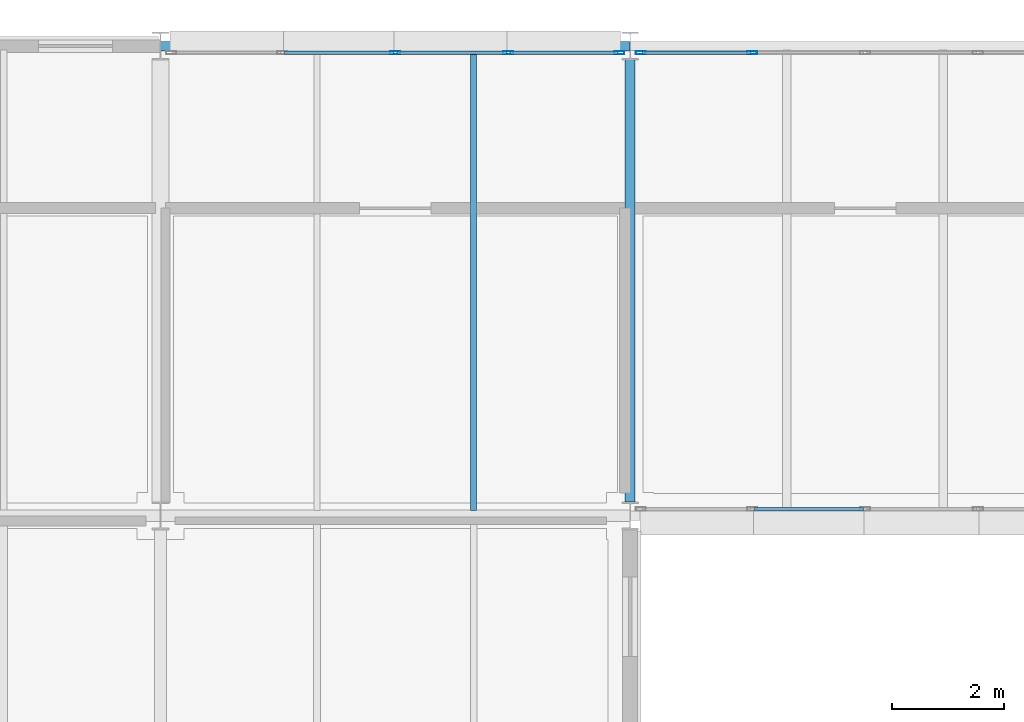
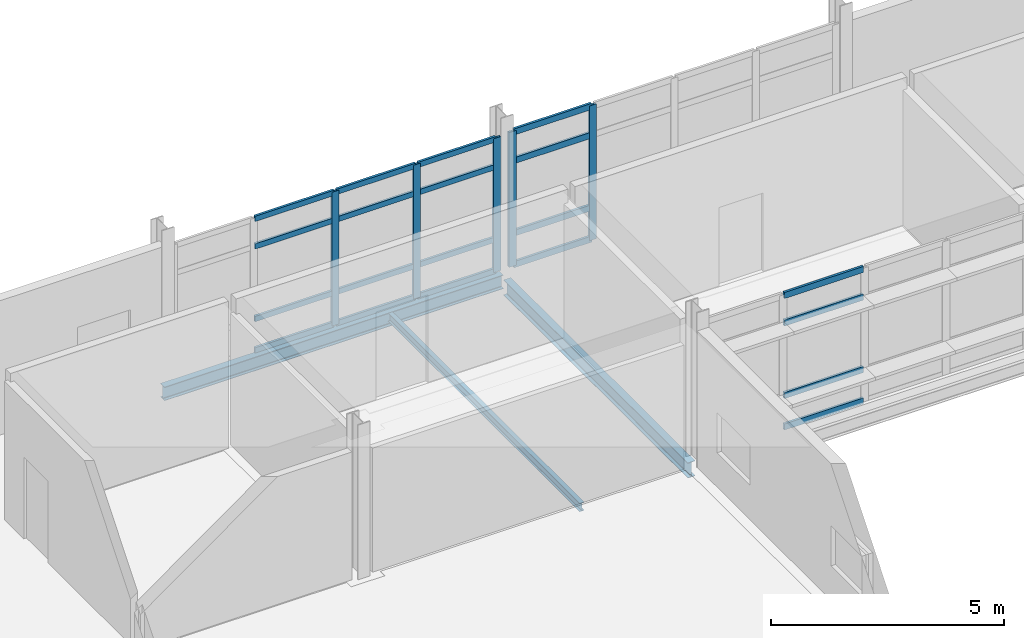
# One storey, part 78 of 131: 25 members, 3 beams, 3 elements without a shape of their own.
"""IFC4 building model written with IfcOpenShell, lengths in metres."""

from ifc_helpers import new_model, si_unit, direction, frame, origin, origin_2d, place, context, subcontext, project, spatial, hollow_rectangle, i_section, extrude, material, material_profile, profile_set, type_object, element, aggregate, save


model = new_model("IFC4")

# Units and contexts
model_context = context("Model", 3, precision=1e-05, world=origin(), true_north=direction((0.0, 1.0)))
body_context = subcontext(model_context, "Body", "Model", "MODEL_VIEW")
ifc_project = project(units=[si_unit("LENGTHUNIT", "METRE"), si_unit("AREAUNIT", "SQUARE_METRE"), si_unit("VOLUMEUNIT", "CUBIC_METRE"), si_unit("PLANEANGLEUNIT", "RADIAN"), si_unit("MASSUNIT", "GRAM", prefix="KILO")], contexts=[model_context])

# Site, building, storey
site_placement = place(None, origin())
site = spatial("IfcSite", under=ifc_project, at=site_placement, CompositionType="ELEMENT")
building_placement = place(site_placement, origin())
building = spatial("IfcBuilding", under=site, at=building_placement, Name="Mersafa Astral City Hall", CompositionType="ELEMENT")
storey_placement = place(building_placement, frame((0.0, 0.0, 13.949951171875)))
storey = spatial("IfcBuildingStorey", under=building, at=storey_placement, Name="L03", CompositionType="ELEMENT", Elevation=13.949951171875)

# Curtain wall, members
ifc_material_1 = material(Name="Anodised bronze aluminium framing", Category="aluminium")
curtain_wall_type_1 = type_object("IfcCurtainWallType", Name="ENV-CW-1", PredefinedType="USERDEFINED", material=ifc_material_1)
curtain_wall_1_placement = place(storey_placement, origin())
curtain_wall_1 = element("IfcCurtainWall", 1, at=curtain_wall_1_placement, inside=storey, type_object=curtain_wall_type_1, Name="L03 Unitised solar curtain wall 168", ObjectType="UNITISED CURTAIN WALL", PredefinedType="USERDEFINED")
ifc_material_profile_1 = material_profile(ifc_material_1, hollow_rectangle(XDim=0.06005859375, YDim=0.179931640625, WallThickness=0.00390625, at=origin_2d()), Name="RHS 60x180x4")
ifc_profile_set_1 = profile_set([ifc_material_profile_1], Name="Anodised bronze aluminium framing")
member_type_1 = type_object("IfcMemberType", Name="ENV-CW-MUL-1", PredefinedType="MULLION", material=ifc_profile_set_1)
member_1_placement = place(storey_placement, frame((119.781005859375, 125.8798828125, -0.001953125), z_axis=(0.0, 0.0, 1.0), x_axis=(0.0, -1.0, 0.0)))
member_1 = element("IfcMember", 2, at=member_1_placement, type_object=member_type_1, Name="CW-1 mullion 4", PredefinedType="MULLION", context=body_context, shape_type="SweptSolid", body=[
    extrude(hollow_rectangle(XDim=0.06005859375, YDim=0.179931640625, WallThickness=0.00390625, at=origin_2d()), origin(), (0.0, 0.0, 1.0), 3.533935546875),
])
member_2_placement = place(storey_placement, frame((117.7919921875, 125.8798828125, -0.001953125), z_axis=(0.0, 0.0, 1.0), x_axis=(0.0, -1.0, 0.0)))
member_2 = element("IfcMember", 3, at=member_2_placement, type_object=member_type_1, Name="CW-1 mullion 5", PredefinedType="MULLION", context=body_context, shape_type="SweptSolid", body=[
    extrude(hollow_rectangle(XDim=0.06005859375, YDim=0.179931640625, WallThickness=0.00390625, at=origin_2d()), origin(), (0.0, 0.0, 1.0), 3.533935546875),
])

curtain_wall_type_2 = type_object("IfcCurtainWallType", Name="ENV-CW-2", PredefinedType="USERDEFINED", material=ifc_material_1)
curtain_wall_2_placement = place(storey_placement, origin())
curtain_wall_2 = element("IfcCurtainWall", 4, at=curtain_wall_2_placement, inside=storey, type_object=curtain_wall_type_2, Name="L03 Unitised solar curtain wall 169", ObjectType="UNITISED CURTAIN WALL", PredefinedType="USERDEFINED")
member_3_placement = place(storey_placement, frame((117.407958984375, 125.8798828125, -0.001953125), z_axis=(0.0, 0.0, 1.0), x_axis=(0.0, -1.0, 0.0)))
member_3 = element("IfcMember", 5, at=member_3_placement, type_object=member_type_1, Name="CW-2 mullion 1", PredefinedType="MULLION", context=body_context, shape_type="SweptSolid", body=[
    extrude(hollow_rectangle(XDim=0.06005859375, YDim=0.179931640625, WallThickness=0.00390625, at=origin_2d()), origin(), (0.0, 0.0, 1.0), 3.50390625),
])
member_4_placement = place(storey_placement, frame((115.4189453125, 125.8798828125, -0.001953125), z_axis=(0.0, 0.0, 1.0), x_axis=(0.0, -1.0, 0.0)))
member_4 = element("IfcMember", 6, at=member_4_placement, type_object=member_type_1, Name="CW-2 mullion 2", PredefinedType="MULLION", context=body_context, shape_type="SweptSolid", body=[
    extrude(hollow_rectangle(XDim=0.06005859375, YDim=0.179931640625, WallThickness=0.00390625, at=origin_2d()), origin(), (0.0, 0.0, 1.0), 3.50390625),
])
member_5_placement = place(storey_placement, frame((113.39990234375, 125.8798828125, -0.001953125), z_axis=(0.0, 0.0, 1.0), x_axis=(0.0, -1.0, 0.0)))
member_5 = element("IfcMember", 7, at=member_5_placement, type_object=member_type_1, Name="CW-2 mullion 3", PredefinedType="MULLION", context=body_context, shape_type="SweptSolid", body=[
    extrude(hollow_rectangle(XDim=0.06005859375, YDim=0.179931640625, WallThickness=0.00390625, at=origin_2d()), origin(), (0.0, 0.0, 1.0), 3.50390625),
])
ifc_material_profile_2 = material_profile(ifc_material_1, hollow_rectangle(XDim=0.06005859375, YDim=0.139892578125, WallThickness=0.00390625, at=origin_2d()), Name="RHS 60x140x4")
ifc_profile_set_2 = profile_set([ifc_material_profile_2], Name="Anodised bronze aluminium framing")
member_type_2 = type_object("IfcMemberType", Name="ENV-CW-TRN-1", PredefinedType="USERDEFINED", material=ifc_profile_set_2)
member_6_placement = place(storey_placement, frame((117.3779296875, 125.8798828125, 0.028076171875), z_axis=(-1.0, 0.0, 0.0), x_axis=(0.0, -1.0, 0.0)))
member_6 = element("IfcMember", 8, at=member_6_placement, type_object=member_type_2, Name="CW-2 transom 1.1", ObjectType="TRANSOM", PredefinedType="USERDEFINED", context=body_context, shape_type="SweptSolid", body=[
    extrude(hollow_rectangle(XDim=0.06005859375, YDim=0.139892578125, WallThickness=0.00390625, at=origin_2d()), origin(), (0.0, 0.0, 1.0), 1.928955078125),
])
member_7_placement = place(storey_placement, frame((117.3779296875, 125.8798828125, 0.85009765625), z_axis=(-1.0, 0.0, 0.0), x_axis=(0.0, -1.0, 0.0)))
member_7 = element("IfcMember", 9, at=member_7_placement, type_object=member_type_2, Name="CW-2 transom 1.2", ObjectType="TRANSOM", PredefinedType="USERDEFINED", context=body_context, shape_type="SweptSolid", body=[
    extrude(hollow_rectangle(XDim=0.06005859375, YDim=0.139892578125, WallThickness=0.00390625, at=origin_2d()), origin(), (0.0, 0.0, 1.0), 1.928955078125),
])
member_8_placement = place(storey_placement, frame((117.3779296875, 125.8798828125, 2.75), z_axis=(-1.0, 0.0, 0.0), x_axis=(0.0, -1.0, 0.0)))
member_8 = element("IfcMember", 10, at=member_8_placement, type_object=member_type_2, Name="CW-2 transom 1.3", ObjectType="TRANSOM", PredefinedType="USERDEFINED", context=body_context, shape_type="SweptSolid", body=[
    extrude(hollow_rectangle(XDim=0.06005859375, YDim=0.139892578125, WallThickness=0.00390625, at=origin_2d()), origin(), (0.0, 0.0, 1.0), 1.928955078125),
])
member_9_placement = place(storey_placement, frame((117.3779296875, 125.8798828125, 3.47216796875), z_axis=(-1.0, 0.0, 0.0), x_axis=(0.0, -1.0, 0.0)))
member_9 = element("IfcMember", 11, at=member_9_placement, type_object=member_type_2, Name="CW-2 transom 1.4", ObjectType="TRANSOM", PredefinedType="USERDEFINED", context=body_context, shape_type="SweptSolid", body=[
    extrude(hollow_rectangle(XDim=0.06005859375, YDim=0.139892578125, WallThickness=0.00390625, at=origin_2d()), origin(), (0.0, 0.0, 1.0), 1.928955078125),
])
member_10_placement = place(storey_placement, frame((115.388916015625, 125.8798828125, 0.028076171875), z_axis=(-1.0, 0.0, 0.0), x_axis=(0.0, -1.0, 0.0)))
member_10 = element("IfcMember", 12, at=member_10_placement, type_object=member_type_2, Name="CW-2 transom 2.1", ObjectType="TRANSOM", PredefinedType="USERDEFINED", context=body_context, shape_type="SweptSolid", body=[
    extrude(hollow_rectangle(XDim=0.06005859375, YDim=0.139892578125, WallThickness=0.00390625, at=origin_2d()), origin(), (0.0, 0.0, 1.0), 1.958984375),
])
member_11_placement = place(storey_placement, frame((115.388916015625, 125.8798828125, 0.85009765625), z_axis=(-1.0, 0.0, 0.0), x_axis=(0.0, -1.0, 0.0)))
member_11 = element("IfcMember", 13, at=member_11_placement, type_object=member_type_2, Name="CW-2 transom 2.2", ObjectType="TRANSOM", PredefinedType="USERDEFINED", context=body_context, shape_type="SweptSolid", body=[
    extrude(hollow_rectangle(XDim=0.06005859375, YDim=0.139892578125, WallThickness=0.00390625, at=origin_2d()), origin(), (0.0, 0.0, 1.0), 1.958984375),
])
member_12_placement = place(storey_placement, frame((115.388916015625, 125.8798828125, 2.75), z_axis=(-1.0, 0.0, 0.0), x_axis=(0.0, -1.0, 0.0)))
member_12 = element("IfcMember", 14, at=member_12_placement, type_object=member_type_2, Name="CW-2 transom 2.3", ObjectType="TRANSOM", PredefinedType="USERDEFINED", context=body_context, shape_type="SweptSolid", body=[
    extrude(hollow_rectangle(XDim=0.06005859375, YDim=0.139892578125, WallThickness=0.00390625, at=origin_2d()), origin(), (0.0, 0.0, 1.0), 1.958984375),
])
member_13_placement = place(storey_placement, frame((115.388916015625, 125.8798828125, 3.47216796875), z_axis=(-1.0, 0.0, 0.0), x_axis=(0.0, -1.0, 0.0)))
member_13 = element("IfcMember", 15, at=member_13_placement, type_object=member_type_2, Name="CW-2 transom 2.4", ObjectType="TRANSOM", PredefinedType="USERDEFINED", context=body_context, shape_type="SweptSolid", body=[
    extrude(hollow_rectangle(XDim=0.06005859375, YDim=0.139892578125, WallThickness=0.00390625, at=origin_2d()), origin(), (0.0, 0.0, 1.0), 1.958984375),
])
member_14_placement = place(storey_placement, frame((113.3701171875, 125.8798828125, 0.028076171875), z_axis=(-1.0, 0.0, 0.0), x_axis=(0.0, -1.0, 0.0)))
member_14 = element("IfcMember", 16, at=member_14_placement, type_object=member_type_2, Name="CW-2 transom 3.1", ObjectType="TRANSOM", PredefinedType="USERDEFINED", context=body_context, shape_type="SweptSolid", body=[
    extrude(hollow_rectangle(XDim=0.06005859375, YDim=0.139892578125, WallThickness=0.00390625, at=origin_2d()), origin(), (0.0, 0.0, 1.0), 1.959228515625),
])
member_15_placement = place(storey_placement, frame((113.3701171875, 125.8798828125, 0.85009765625), z_axis=(-1.0, 0.0, 0.0), x_axis=(0.0, -1.0, 0.0)))
member_15 = element("IfcMember", 17, at=member_15_placement, type_object=member_type_2, Name="CW-2 transom 3.2", ObjectType="TRANSOM", PredefinedType="USERDEFINED", context=body_context, shape_type="SweptSolid", body=[
    extrude(hollow_rectangle(XDim=0.06005859375, YDim=0.139892578125, WallThickness=0.00390625, at=origin_2d()), origin(), (0.0, 0.0, 1.0), 1.959228515625),
])
member_16_placement = place(storey_placement, frame((113.3701171875, 125.8798828125, 2.75), z_axis=(-1.0, 0.0, 0.0), x_axis=(0.0, -1.0, 0.0)))
member_16 = element("IfcMember", 18, at=member_16_placement, type_object=member_type_2, Name="CW-2 transom 3.3", ObjectType="TRANSOM", PredefinedType="USERDEFINED", context=body_context, shape_type="SweptSolid", body=[
    extrude(hollow_rectangle(XDim=0.06005859375, YDim=0.139892578125, WallThickness=0.00390625, at=origin_2d()), origin(), (0.0, 0.0, 1.0), 1.959228515625),
])
member_17_placement = place(storey_placement, frame((113.3701171875, 125.8798828125, 3.47216796875), z_axis=(-1.0, 0.0, 0.0), x_axis=(0.0, -1.0, 0.0)))
member_17 = element("IfcMember", 19, at=member_17_placement, type_object=member_type_2, Name="CW-2 transom 3.4", ObjectType="TRANSOM", PredefinedType="USERDEFINED", context=body_context, shape_type="SweptSolid", body=[
    extrude(hollow_rectangle(XDim=0.06005859375, YDim=0.139892578125, WallThickness=0.00390625, at=origin_2d()), origin(), (0.0, 0.0, 1.0), 1.959228515625),
])
aggregate(curtain_wall_2, [member_3, member_4, member_5, member_6, member_7, member_8, member_9, member_10, member_11, member_12, member_13, member_14, member_15, member_16, member_17])

curtain_wall_type_3 = type_object("IfcCurtainWallType", Name="ENV-CW-3", PredefinedType="USERDEFINED", material=ifc_material_1)
curtain_wall_3_placement = place(storey_placement, origin())
curtain_wall_3 = element("IfcCurtainWall", 20, at=curtain_wall_3_placement, inside=storey, type_object=curtain_wall_type_3, Name="L03 Unitised solar curtain wall 158", ObjectType="UNITISED CURTAIN WALL", PredefinedType="USERDEFINED")
ifc_material_profile_3 = material_profile(ifc_material_1, hollow_rectangle(XDim=0.06005859375, YDim=0.159912109375, WallThickness=0.00390625, at=origin_2d()), Name="RHS 60x160x4")
ifc_profile_set_3 = profile_set([ifc_material_profile_3], Name="Anodised bronze aluminium framing")
member_type_3 = type_object("IfcMemberType", Name="ENV-CW-TRN-2", PredefinedType="USERDEFINED", material=ifc_profile_set_3)
member_18_placement = place(storey_placement, frame((119.81103515625, 117.719970703125, 0.028076171875), z_axis=(1.0, 0.0, 0.0), x_axis=(0.0, 1.0, 0.0)))
member_18 = element("IfcMember", 21, at=member_18_placement, type_object=member_type_3, Name="CW-3 transom 2.1", ObjectType="TRANSOM", PredefinedType="USERDEFINED", context=body_context, shape_type="SweptSolid", body=[
    extrude(hollow_rectangle(XDim=0.06005859375, YDim=0.159912109375, WallThickness=0.00390625, at=origin_2d()), origin(), (0.0, 0.0, 1.0), 1.958984375),
])
member_19_placement = place(storey_placement, frame((119.81103515625, 117.719970703125, 0.85009765625), z_axis=(1.0, 0.0, 0.0), x_axis=(0.0, 1.0, 0.0)))
member_19 = element("IfcMember", 22, at=member_19_placement, type_object=member_type_3, Name="CW-3 transom 2.2", ObjectType="TRANSOM", PredefinedType="USERDEFINED", context=body_context, shape_type="SweptSolid", body=[
    extrude(hollow_rectangle(XDim=0.06005859375, YDim=0.159912109375, WallThickness=0.00390625, at=origin_2d()), origin(), (0.0, 0.0, 1.0), 1.958984375),
])
member_20_placement = place(storey_placement, frame((119.81103515625, 117.719970703125, 2.75), z_axis=(1.0, 0.0, 0.0), x_axis=(0.0, 1.0, 0.0)))
member_20 = element("IfcMember", 23, at=member_20_placement, type_object=member_type_3, Name="CW-3 transom 2.3", ObjectType="TRANSOM", PredefinedType="USERDEFINED", context=body_context, shape_type="SweptSolid", body=[
    extrude(hollow_rectangle(XDim=0.06005859375, YDim=0.159912109375, WallThickness=0.00390625, at=origin_2d()), origin(), (0.0, 0.0, 1.0), 1.958984375),
])
member_21_placement = place(storey_placement, frame((119.81103515625, 117.719970703125, 3.47216796875), z_axis=(1.0, 0.0, 0.0), x_axis=(0.0, 1.0, 0.0)))
member_21 = element("IfcMember", 24, at=member_21_placement, type_object=member_type_3, Name="CW-3 transom 2.4", ObjectType="TRANSOM", PredefinedType="USERDEFINED", context=body_context, shape_type="SweptSolid", body=[
    extrude(hollow_rectangle(XDim=0.06005859375, YDim=0.159912109375, WallThickness=0.00390625, at=origin_2d()), origin(), (0.0, 0.0, 1.0), 1.958984375),
])
aggregate(curtain_wall_3, [member_18, member_19, member_20, member_21])

# Member
member_22_placement = place(storey_placement, frame((119.7509765625, 125.8798828125, 0.028076171875), z_axis=(-1.0, 0.0, 0.0), x_axis=(0.0, -1.0, 0.0)))
member_22 = element("IfcMember", 25, at=member_22_placement, type_object=member_type_3, Name="CW-1 transom 4.1", ObjectType="TRANSOM", PredefinedType="USERDEFINED", context=body_context, shape_type="SweptSolid", body=[
    extrude(hollow_rectangle(XDim=0.06005859375, YDim=0.159912109375, WallThickness=0.00390625, at=origin_2d()), origin(), (0.0, 0.0, 1.0), 1.928955078125),
])

member_23_placement = place(storey_placement, frame((119.7509765625, 125.8798828125, 0.85009765625), z_axis=(-1.0, 0.0, 0.0), x_axis=(0.0, -1.0, 0.0)))
member_23 = element("IfcMember", 26, at=member_23_placement, type_object=member_type_3, Name="CW-1 transom 4.2", ObjectType="TRANSOM", PredefinedType="USERDEFINED", context=body_context, shape_type="SweptSolid", body=[
    extrude(hollow_rectangle(XDim=0.06005859375, YDim=0.159912109375, WallThickness=0.00390625, at=origin_2d()), origin(), (0.0, 0.0, 1.0), 1.928955078125),
])

member_24_placement = place(storey_placement, frame((119.7509765625, 125.8798828125, 2.75), z_axis=(-1.0, 0.0, 0.0), x_axis=(0.0, -1.0, 0.0)))
member_24 = element("IfcMember", 27, at=member_24_placement, type_object=member_type_3, Name="CW-1 transom 4.3", ObjectType="TRANSOM", PredefinedType="USERDEFINED", context=body_context, shape_type="SweptSolid", body=[
    extrude(hollow_rectangle(XDim=0.06005859375, YDim=0.159912109375, WallThickness=0.00390625, at=origin_2d()), origin(), (0.0, 0.0, 1.0), 1.928955078125),
])

member_25_placement = place(storey_placement, frame((119.7509765625, 125.8798828125, 3.501953125), z_axis=(-1.0, 0.0, 0.0), x_axis=(0.0, -1.0, 0.0)))
member_25 = element("IfcMember", 28, at=member_25_placement, type_object=member_type_3, Name="CW-1 transom 4.4", ObjectType="TRANSOM", PredefinedType="USERDEFINED", context=body_context, shape_type="SweptSolid", body=[
    extrude(hollow_rectangle(XDim=0.06005859375, YDim=0.159912109375, WallThickness=0.00390625, at=origin_2d()), origin(), (0.0, 0.0, 1.0), 1.928955078125),
])

aggregate(curtain_wall_1, [member_1, member_2, member_22, member_23, member_24, member_25])

# Beams
ifc_material_2 = material(Name="Steel S355", Category="steel")
ifc_material_profile_4 = material_profile(ifc_material_2, i_section(OverallWidth=0.179931640625, OverallDepth=0.39990234375, WebThickness=0.008544921875, FlangeThickness=0.013427734375, FilletRadius=0.02099609375, at=origin_2d()), Name="IPE 400")
ifc_profile_set_4 = profile_set([ifc_material_profile_4], Name="Steel S355")
beam_type_1 = type_object("IfcBeamType", Name="STR-BM-IPE400", PredefinedType="BEAM", material=ifc_profile_set_4)
beam_1_placement = place(storey_placement, frame((117.60009765625, 117.844970703125, -0.39990234375), z_axis=(0.0, 1.0, 0.0), x_axis=(-1.0, 0.0, 0.0)))
element("IfcBeam", 29, at=beam_1_placement, inside=storey, type_object=beam_type_1, Name="L03 Primary girder Y 14-14", PredefinedType="BEAM", context=body_context, shape_type="SweptSolid", body=[
    extrude(i_section(OverallWidth=0.179931640625, OverallDepth=0.39990234375, WebThickness=0.008544921875, FlangeThickness=0.013427734375, FilletRadius=0.02099609375, at=origin_2d()), origin(), (0.0, 0.0, 1.0), 7.909912109375),
])
ifc_material_profile_5 = material_profile(ifc_material_2, i_section(OverallWidth=0.110107421875, OverallDepth=0.219970703125, WebThickness=0.005859375, FlangeThickness=0.00927734375, FilletRadius=0.011962890625, at=origin_2d()), Name="IPE 220")
ifc_profile_set_5 = profile_set([ifc_material_profile_5], Name="Steel S355")
beam_type_2 = type_object("IfcBeamType", Name="STR-BM-JOIST-IPE220", PredefinedType="JOIST", material=ifc_profile_set_5)
beam_2_placement = place(storey_placement, frame((114.800048828125, 117.695068359375, -0.31005859375), z_axis=(0.0, 1.0, 0.0), x_axis=(-1.0, 0.0, 0.0)))
element("IfcBeam", 30, at=beam_2_placement, inside=storey, type_object=beam_type_2, Name="L03 Composite secondary floor joist 629", PredefinedType="JOIST", context=body_context, shape_type="SweptSolid", body=[
    extrude(i_section(OverallWidth=0.110107421875, OverallDepth=0.219970703125, WebThickness=0.005859375, FlangeThickness=0.00927734375, FilletRadius=0.011962890625, at=origin_2d()), origin(), (0.0, 0.0, 1.0), 8.224853515625),
])
ifc_material_profile_6 = material_profile(ifc_material_2, i_section(OverallWidth=0.169921875, OverallDepth=0.360107421875, WebThickness=0.008056640625, FlangeThickness=0.0126953125, FilletRadius=0.01806640625, at=origin_2d()), Name="IPE 360")
ifc_profile_set_6 = profile_set([ifc_material_profile_6], Name="Steel S355")
beam_type_3 = type_object("IfcBeamType", Name="STR-BM-SPANDREL-IPE360", PredefinedType="SPANDREL", material=ifc_profile_set_6)
beam_3_placement = place(storey_placement, frame((109.202880859375, 126.0, -0.3798828125), z_axis=(1.0, 0.0, 0.0), x_axis=(0.0, 1.0, 0.0)))
element("IfcBeam", 31, at=beam_3_placement, inside=storey, type_object=beam_type_3, Name="L03 Primary girder X 13-15", PredefinedType="SPANDREL", context=body_context, shape_type="SweptSolid", body=[
    extrude(i_section(OverallWidth=0.169921875, OverallDepth=0.360107421875, WebThickness=0.008056640625, FlangeThickness=0.0126953125, FilletRadius=0.01806640625, at=origin_2d()), origin(), (0.0, 0.0, 1.0), 8.39404296875),
])

save(model, "model.ifc")
